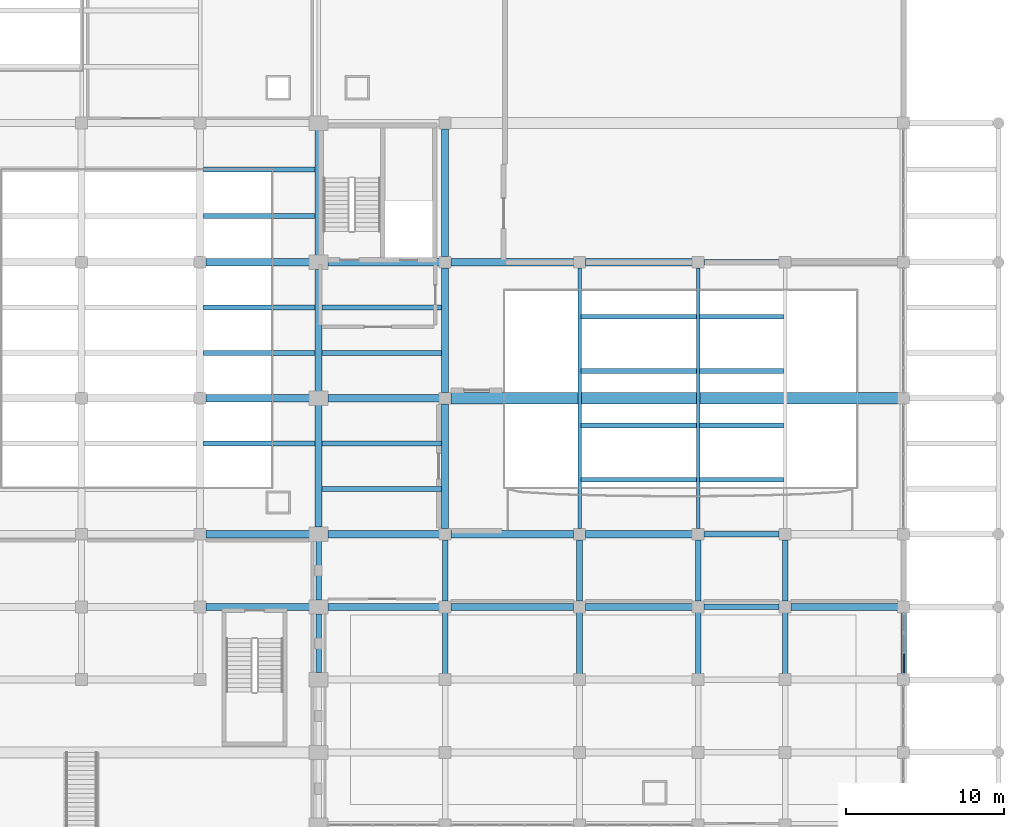
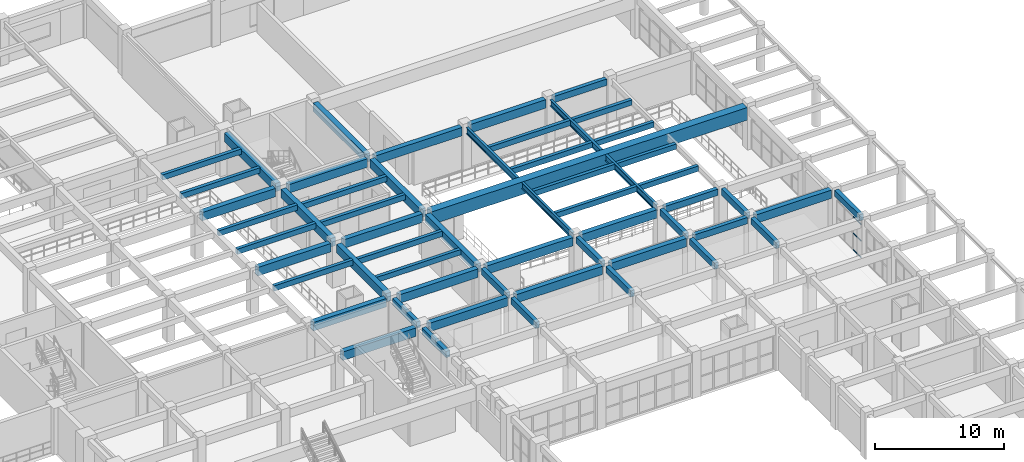
# One storey, part 74 of 116: 55 beams, 3 members, 1 element without a shape of its own.
"""IFC4 building model written with IfcOpenShell, lengths in metres."""

from ifc_helpers import new_model, si_unit, direction, frame, origin, origin_2d, place, context, subcontext, project, spatial, rectangle, hollow_rectangle, i_section, extrude, material, layer, layer_set, material_profile, profile_set, type_object, element, aggregate, save


model = new_model("IFC4")

# Units and contexts
model_context = context("Model", 3, precision=1e-05, world=origin(), true_north=direction((0.0, 1.0)))
body_context = subcontext(model_context, "Body", "Model", "MODEL_VIEW")
ifc_project = project(units=[si_unit("LENGTHUNIT", "METRE"), si_unit("AREAUNIT", "SQUARE_METRE"), si_unit("VOLUMEUNIT", "CUBIC_METRE"), si_unit("PLANEANGLEUNIT", "RADIAN"), si_unit("MASSUNIT", "GRAM", prefix="KILO")], contexts=[model_context])

# Site, building, storey
site_placement = place(None, origin())
site = spatial("IfcSite", under=ifc_project, at=site_placement, CompositionType="ELEMENT")
building_placement = place(site_placement, origin())
building = spatial("IfcBuilding", under=site, at=building_placement, Name="Muzn Square Opera House", CompositionType="ELEMENT")
storey_placement = place(building_placement, frame((0.0, 0.0, 5.39990234375)))
storey = spatial("IfcBuildingStorey", under=building, at=storey_placement, Name="L01", CompositionType="ELEMENT", Elevation=5.39990234375)

# Curtain wall, members
ifc_material_1 = material(Name="Low-E laminated acoustic double glazing", Category="glass")
ifc_layer = layer(ifc_material_1, 0.159912109375, Name="Low-E laminated acoustic double glazing", Category="glass")
ifc_layer_set = layer_set([ifc_layer], Name="Low-E laminated acoustic double glazing")
curtain_wall_type = type_object("IfcCurtainWallType", Name="Glazed Curtain Wall EastBlvd 3850x3200", PredefinedType="USERDEFINED", material=ifc_layer_set)
curtain_wall_placement = place(storey_placement, origin())
curtain_wall = element("IfcCurtainWall", 1, at=curtain_wall_placement, inside=storey, type_object=curtain_wall_type, Name="Glazed Curtain Wall CW-L01-118", ObjectType="GLAZED CURTAIN WALL", PredefinedType="USERDEFINED")
ifc_material_2 = material(Name="Anodised bronze aluminium 6063-T6", Category="metal")
ifc_material_profile_1 = material_profile(ifc_material_2, hollow_rectangle(XDim=0.06005859375, YDim=0.1201171875, WallThickness=0.00390625, at=origin_2d()), Name="ALU 120x60x4", Category="metal")
ifc_profile_set_1 = profile_set([ifc_material_profile_1], Name="Anodised bronze aluminium 6063-T6")
member_type = type_object("IfcMemberType", Name="Curtain Wall Transom 120x60", PredefinedType="USERDEFINED", material=ifc_profile_set_1)
member_1_placement = place(storey_placement, frame((170.0, 63.8349609375, 0.030029296875), z_axis=(0.0, 1.0, 0.0), x_axis=(-1.0, 0.0, 0.0)))
member_1 = element("IfcMember", 2, at=member_1_placement, type_object=member_type, Name="CW-EBL-38x32 transom 1.1", ObjectType="TRANSOM", PredefinedType="USERDEFINED", context=body_context, shape_type="SweptSolid", body=[
    extrude(hollow_rectangle(XDim=0.06005859375, YDim=0.1201171875, WallThickness=0.00390625, at=origin_2d()), origin(), (0.0, 0.0, 1.0), 1.193359375),
])
member_2_placement = place(storey_placement, frame((170.0, 63.8349609375, 1.60009765625), z_axis=(0.0, 1.0, 0.0), x_axis=(-1.0, 0.0, 0.0)))
member_2 = element("IfcMember", 3, at=member_2_placement, type_object=member_type, Name="CW-EBL-38x32 transom 1.2", ObjectType="TRANSOM", PredefinedType="USERDEFINED", context=body_context, shape_type="SweptSolid", body=[
    extrude(hollow_rectangle(XDim=0.06005859375, YDim=0.1201171875, WallThickness=0.00390625, at=origin_2d()), origin(), (0.0, 0.0, 1.0), 1.193359375),
])
member_3_placement = place(storey_placement, frame((170.0, 63.8349609375, 3.170166015625), z_axis=(0.0, 1.0, 0.0), x_axis=(-1.0, 0.0, 0.0)))
member_3 = element("IfcMember", 4, at=member_3_placement, type_object=member_type, Name="CW-EBL-38x32 transom 1.3", ObjectType="TRANSOM", PredefinedType="USERDEFINED", context=body_context, shape_type="SweptSolid", body=[
    extrude(hollow_rectangle(XDim=0.06005859375, YDim=0.1201171875, WallThickness=0.00390625, at=origin_2d()), origin(), (0.0, 0.0, 1.0), 1.193359375),
])
aggregate(curtain_wall, [member_1, member_2, member_3])

# Beams
ifc_material_3 = material(Name="Concrete C40/50", Category="concrete")
ifc_material_profile_2 = material_profile(ifc_material_3, rectangle(XDim=0.300048828125, YDim=0.5, at=origin_2d()), Name="RCJ 300x500", Category="concrete")
ifc_profile_set_2 = profile_set([ifc_material_profile_2], Name="Concrete C40/50")
beam_type_1 = type_object("IfcBeamType", Name="Floor Joist 300x500", PredefinedType="JOIST", material=ifc_profile_set_2)
for number, where, z_axis, x_axis, name in (
    (5, (125.717041015625, 78.333251953125, 3.8701171875), (1.0, 0.0, 0.0), (0.0, 1.0, 0.0), "Floor Joist BM-L01-BM-J500-1257_783_1328_783-1909"),
    (6, (125.717041015625, 84.066650390625, 3.8701171875), (1.0, 0.0, 0.0), (0.0, 1.0, 0.0), "Floor Joist BM-L01-BM-J500-1257_841_1328_841-1910"),
    (7, (125.717041015625, 86.933349609375, 3.8701171875), (1.0, 0.0, 0.0), (0.0, 1.0, 0.0), "Floor Joist BM-L01-BM-J500-1257_869_1328_869-1911"),
    (8, (125.717041015625, 92.7333984375, 3.8701171875), (1.0, 0.0, 0.0), (0.0, 1.0, 0.0), "Floor Joist BM-L01-BM-J500-1257_927_1328_927-1912"),
    (9, (125.717041015625, 95.666748046875, 3.8701171875), (1.0, 0.0, 0.0), (0.0, 1.0, 0.0), "Floor Joist BM-L01-BM-J500-1257_957_1328_957-1913"),
):
    element("IfcBeam", number, at=place(storey_placement, frame(where, z_axis=z_axis, x_axis=x_axis)), inside=storey, type_object=beam_type_1, Name=name, PredefinedType="JOIST", context=body_context, shape_type="SweptSolid", body=[
        extrude(rectangle(XDim=0.300048828125, YDim=0.5, at=origin_2d()), origin(), (0.0, 0.0, 1.0), 7.06591796875),
    ])
for number, where, z_axis, x_axis, name in (
    (10, (133.217041015625, 75.466796875, 3.7900390625), (1.0, 0.0, 0.0), (0.0, 1.0, 0.0), "Floor Joist BM-L01-BM-J500-1332_755_1408_755-1916"),
    (11, (133.217041015625, 78.333251953125, 3.7900390625), (1.0, 0.0, 0.0), (0.0, 1.0, 0.0), "Floor Joist BM-L01-BM-J500-1332_783_1408_783-1917"),
    (12, (133.217041015625, 84.066650390625, 3.7900390625), (1.0, 0.0, 0.0), (0.0, 1.0, 0.0), "Floor Joist BM-L01-BM-J500-1332_841_1408_841-1918"),
    (13, (133.217041015625, 86.933349609375, 3.7900390625), (1.0, 0.0, 0.0), (0.0, 1.0, 0.0), "Floor Joist BM-L01-BM-J500-1332_869_1408_869-1919"),
):
    element("IfcBeam", number, at=place(storey_placement, frame(where, z_axis=z_axis, x_axis=x_axis)), inside=storey, type_object=beam_type_1, Name=name, PredefinedType="JOIST", context=body_context, shape_type="SweptSolid", body=[
        extrude(rectangle(XDim=0.300048828125, YDim=0.5, at=origin_2d()), origin(), (0.0, 0.0, 1.0), 7.56591796875),
    ])
for number, where, z_axis, x_axis, name in (
    (14, (149.60205078125, 76.0400390625, 3.7900390625), (1.0, 0.0, 0.0), (0.0, 1.0, 0.0), "Floor Joist BM-L01-BM-J500-1496_760_1569_760-1922"),
    (15, (149.60205078125, 79.47998046875, 3.7900390625), (1.0, 0.0, 0.0), (0.0, 1.0, 0.0), "Floor Joist BM-L01-BM-J500-1496_795_1569_795-1923"),
    (16, (149.60205078125, 82.919921875, 3.7900390625), (1.0, 0.0, 0.0), (0.0, 1.0, 0.0), "Floor Joist BM-L01-BM-J500-1496_829_1569_829-1924"),
    (17, (149.60205078125, 86.360107421875, 3.7900390625), (1.0, 0.0, 0.0), (0.0, 1.0, 0.0), "Floor Joist BM-L01-BM-J500-1496_864_1569_864-1925"),
):
    element("IfcBeam", number, at=place(storey_placement, frame(where, z_axis=z_axis, x_axis=x_axis)), inside=storey, type_object=beam_type_1, Name=name, PredefinedType="JOIST", context=body_context, shape_type="SweptSolid", body=[
        extrude(rectangle(XDim=0.300048828125, YDim=0.5, at=origin_2d()), origin(), (0.0, 0.0, 1.0), 7.2958984375),
    ])
for number, where, z_axis, x_axis, name in (
    (18, (157.10205078125, 76.0400390625, 3.7900390625), (1.0, 0.0, 0.0), (0.0, 1.0, 0.0), "Floor Joist BM-L01-BM-J500-1571_760_1624_760-1926"),
    (19, (157.10205078125, 79.47998046875, 3.7900390625), (1.0, 0.0, 0.0), (0.0, 1.0, 0.0), "Floor Joist BM-L01-BM-J500-1571_795_1624_795-1927"),
    (20, (157.10205078125, 82.919921875, 3.7900390625), (1.0, 0.0, 0.0), (0.0, 1.0, 0.0), "Floor Joist BM-L01-BM-J500-1571_829_1624_829-1928"),
    (21, (157.10205078125, 86.360107421875, 3.7900390625), (1.0, 0.0, 0.0), (0.0, 1.0, 0.0), "Floor Joist BM-L01-BM-J500-1571_864_1624_864-1929"),
):
    element("IfcBeam", number, at=place(storey_placement, frame(where, z_axis=z_axis, x_axis=x_axis)), inside=storey, type_object=beam_type_1, Name=name, PredefinedType="JOIST", context=body_context, shape_type="SweptSolid", body=[
        extrude(rectangle(XDim=0.300048828125, YDim=0.5, at=origin_2d()), origin(), (0.0, 0.0, 1.0), 5.2958984375),
    ])
ifc_material_profile_3 = material_profile(ifc_material_3, rectangle(XDim=0.35009765625, YDim=0.60009765625, at=origin_2d()), Name="RCB 350x600", Category="concrete")
ifc_profile_set_3 = profile_set([ifc_material_profile_3], Name="Concrete C40/50")
beam_type_2 = type_object("IfcBeamType", Name="Primary Girder 350x600", PredefinedType="BEAM", material=ifc_profile_set_3)
for number, where, z_axis, x_axis, name in (
    (22, (157.366943359375, 68.0, 3.85009765625), (1.0, 0.0, 0.0), (0.0, 1.0, 0.0), "Primary Girder BM-L01-BM-PG600-1574_680_1621_680-1429"),
    (23, (157.366943359375, 72.60009765625, 3.739990234375), (1.0, 0.0, 0.0), (0.0, 1.0, 0.0), "Primary Girder BM-L01-BM-PG600-1574_726_1621_726-1447"),
    (24, (157.366943359375, 89.800048828125, 3.739990234375), (1.0, 0.0, 0.0), (0.0, 1.0, 0.0), "Primary Girder BM-L01-BM-PG600-1574_898_1621_898-1476"),
):
    element("IfcBeam", number, at=place(storey_placement, frame(where, z_axis=z_axis, x_axis=x_axis)), inside=storey, type_object=beam_type_2, Name=name, PredefinedType="BEAM", context=body_context, shape_type="SweptSolid", body=[
        extrude(rectangle(XDim=0.35009765625, YDim=0.60009765625, at=origin_2d()), origin(), (0.0, 0.0, 1.0), 4.76611328125),
    ])
for number, where, z_axis, x_axis, name in (
    (25, (133.0, 63.842041015625, 3.820068359375), (0.0, 1.0, 0.0), (-1.0, 0.0, 0.0), "Primary Girder BM-L01-BM-PG600-1330_638_1330_676-1710"),
    (26, (133.0, 68.44189453125, 3.820068359375), (0.0, 1.0, 0.0), (-1.0, 0.0, 0.0), "Primary Girder BM-L01-BM-PG600-1330_684_1330_722-1711"),
):
    element("IfcBeam", number, at=place(storey_placement, frame(where, z_axis=z_axis, x_axis=x_axis)), inside=storey, type_object=beam_type_2, Name=name, PredefinedType="BEAM", context=body_context, shape_type="SweptSolid", body=[
        extrude(rectangle(XDim=0.35009765625, YDim=0.60009765625, at=origin_2d()), origin(), (0.0, 0.0, 1.0), 3.716064453125),
    ])
for number, where, z_axis, x_axis, name in (
    (27, (141.0, 63.76708984375, 3.820068359375), (0.0, 1.0, 0.0), (-1.0, 0.0, 0.0), "Primary Girder BM-L01-BM-PG600-1410_638_1410_676-1722"),
    (28, (141.0, 68.366943359375, 3.820068359375), (0.0, 1.0, 0.0), (-1.0, 0.0, 0.0), "Primary Girder BM-L01-BM-PG600-1410_684_1410_722-1723"),
    (29, (149.5, 63.76708984375, 3.820068359375), (0.0, 1.0, 0.0), (-1.0, 0.0, 0.0), "Primary Girder BM-L01-BM-PG600-1495_638_1495_676-1734"),
    (30, (149.5, 68.366943359375, 3.820068359375), (0.0, 1.0, 0.0), (-1.0, 0.0, 0.0), "Primary Girder BM-L01-BM-PG600-1495_684_1495_722-1735"),
    (31, (157.0, 63.76708984375, 3.820068359375), (0.0, 1.0, 0.0), (-1.0, 0.0, 0.0), "Primary Girder BM-L01-BM-PG600-1570_638_1570_676-1747"),
    (32, (157.0, 68.366943359375, 3.820068359375), (0.0, 1.0, 0.0), (-1.0, 0.0, 0.0), "Primary Girder BM-L01-BM-PG600-1570_684_1570_722-1748"),
    (33, (162.5, 63.76708984375, 3.85009765625), (0.0, 1.0, 0.0), (-1.0, 0.0, 0.0), "Primary Girder BM-L01-BM-PG600-1625_638_1625_676-1762"),
    (34, (162.5, 68.366943359375, 3.85009765625), (0.0, 1.0, 0.0), (-1.0, 0.0, 0.0), "Primary Girder BM-L01-BM-PG600-1625_684_1625_722-1763"),
    (35, (170.0, 63.76708984375, 3.85009765625), (0.0, 1.0, 0.0), (-1.0, 0.0, 0.0), "Primary Girder BM-L01-BM-PG600-1700_638_1700_676-1777"),
):
    element("IfcBeam", number, at=place(storey_placement, frame(where, z_axis=z_axis, x_axis=x_axis)), inside=storey, type_object=beam_type_2, Name=name, PredefinedType="BEAM", context=body_context, shape_type="SweptSolid", body=[
        extrude(rectangle(XDim=0.35009765625, YDim=0.60009765625, at=origin_2d()), origin(), (0.0, 0.0, 1.0), 3.865966796875),
    ])
ifc_material_profile_4 = material_profile(ifc_material_3, rectangle(XDim=0.449951171875, YDim=0.800048828125, at=origin_2d()), Name="RCB 450x800", Category="concrete")
ifc_profile_set_4 = profile_set([ifc_material_profile_4], Name="Concrete C40/50")
beam_type_3 = type_object("IfcBeamType", Name="Primary Girder 450x800", PredefinedType="BEAM", material=ifc_profile_set_4)
beam_1_placement = place(storey_placement, frame((125.866943359375, 68.0, 3.72021484375), z_axis=(1.0, 0.0, 0.0), x_axis=(0.0, 1.0, 0.0)))
element("IfcBeam", 36, at=beam_1_placement, inside=storey, type_object=beam_type_3, Name="Primary Girder BM-L01-BM-PG800-1259_680_1324_680-1425", PredefinedType="BEAM", context=body_context, shape_type="SweptSolid", body=[
    extrude(rectangle(XDim=0.449951171875, YDim=0.800048828125, at=origin_2d()), origin(), (0.0, 0.0, 1.0), 6.541015625),
])
beam_2_placement = place(storey_placement, frame((133.592041015625, 68.0, 3.72021484375), z_axis=(1.0, 0.0, 0.0), x_axis=(0.0, 1.0, 0.0)))
element("IfcBeam", 37, at=beam_2_placement, inside=storey, type_object=beam_type_3, Name="Primary Girder BM-L01-BM-PG800-1336_680_1406_680-1426", PredefinedType="BEAM", context=body_context, shape_type="SweptSolid", body=[
    extrude(rectangle(XDim=0.449951171875, YDim=0.800048828125, at=origin_2d()), origin(), (0.0, 0.0, 1.0), 7.041015625),
])
beam_3_placement = place(storey_placement, frame((141.366943359375, 68.0, 3.72021484375), z_axis=(1.0, 0.0, 0.0), x_axis=(0.0, 1.0, 0.0)))
element("IfcBeam", 38, at=beam_3_placement, inside=storey, type_object=beam_type_3, Name="Primary Girder BM-L01-BM-PG800-1414_680_1491_680-1427", PredefinedType="BEAM", context=body_context, shape_type="SweptSolid", body=[
    extrude(rectangle(XDim=0.449951171875, YDim=0.800048828125, at=origin_2d()), origin(), (0.0, 0.0, 1.0), 7.76611328125),
])
for number, where, z_axis, x_axis, name in (
    (39, (149.866943359375, 68.0, 3.72021484375), (1.0, 0.0, 0.0), (0.0, 1.0, 0.0), "Primary Girder BM-L01-BM-PG800-1499_680_1566_680-1428"),
    (40, (162.866943359375, 68.0, 3.75), (1.0, 0.0, 0.0), (0.0, 1.0, 0.0), "Primary Girder BM-L01-BM-PG800-1629_680_1696_680-1430"),
):
    element("IfcBeam", number, at=place(storey_placement, frame(where, z_axis=z_axis, x_axis=x_axis)), inside=storey, type_object=beam_type_3, Name=name, PredefinedType="BEAM", context=body_context, shape_type="SweptSolid", body=[
        extrude(rectangle(XDim=0.449951171875, YDim=0.800048828125, at=origin_2d()), origin(), (0.0, 0.0, 1.0), 6.76611328125),
    ])
beam_4_placement = place(storey_placement, frame((125.866943359375, 72.60009765625, 3.72021484375), z_axis=(1.0, 0.0, 0.0), x_axis=(0.0, 1.0, 0.0)))
element("IfcBeam", 41, at=beam_4_placement, inside=storey, type_object=beam_type_3, Name="Primary Girder BM-L01-BM-PG800-1259_726_1324_726-1443", PredefinedType="BEAM", context=body_context, shape_type="SweptSolid", body=[
    extrude(rectangle(XDim=0.449951171875, YDim=0.800048828125, at=origin_2d()), origin(), (0.0, 0.0, 1.0), 6.541015625),
])
beam_5_placement = place(storey_placement, frame((133.592041015625, 72.60009765625, 3.64013671875), z_axis=(1.0, 0.0, 0.0), x_axis=(0.0, 1.0, 0.0)))
element("IfcBeam", 42, at=beam_5_placement, inside=storey, type_object=beam_type_3, Name="Primary Girder BM-L01-BM-PG800-1336_726_1406_726-1444", PredefinedType="BEAM", context=body_context, shape_type="SweptSolid", body=[
    extrude(rectangle(XDim=0.449951171875, YDim=0.800048828125, at=origin_2d()), origin(), (0.0, 0.0, 1.0), 7.041015625),
])
beam_6_placement = place(storey_placement, frame((141.366943359375, 72.60009765625, 3.64013671875), z_axis=(1.0, 0.0, 0.0), x_axis=(0.0, 1.0, 0.0)))
element("IfcBeam", 43, at=beam_6_placement, inside=storey, type_object=beam_type_3, Name="Primary Girder BM-L01-BM-PG800-1414_726_1491_726-1445", PredefinedType="BEAM", context=body_context, shape_type="SweptSolid", body=[
    extrude(rectangle(XDim=0.449951171875, YDim=0.800048828125, at=origin_2d()), origin(), (0.0, 0.0, 1.0), 7.76611328125),
])
beam_7_placement = place(storey_placement, frame((149.866943359375, 72.60009765625, 3.64013671875), z_axis=(1.0, 0.0, 0.0), x_axis=(0.0, 1.0, 0.0)))
element("IfcBeam", 44, at=beam_7_placement, inside=storey, type_object=beam_type_3, Name="Primary Girder BM-L01-BM-PG800-1499_726_1566_726-1446", PredefinedType="BEAM", context=body_context, shape_type="SweptSolid", body=[
    extrude(rectangle(XDim=0.449951171875, YDim=0.800048828125, at=origin_2d()), origin(), (0.0, 0.0, 1.0), 6.76611328125),
])
beam_8_placement = place(storey_placement, frame((125.866943359375, 81.199951171875, 3.72021484375), z_axis=(1.0, 0.0, 0.0), x_axis=(0.0, 1.0, 0.0)))
element("IfcBeam", 45, at=beam_8_placement, inside=storey, type_object=beam_type_3, Name="Primary Girder BM-L01-BM-PG800-1259_812_1324_812-1459", PredefinedType="BEAM", context=body_context, shape_type="SweptSolid", body=[
    extrude(rectangle(XDim=0.449951171875, YDim=0.800048828125, at=origin_2d()), origin(), (0.0, 0.0, 1.0), 6.541015625),
])
beam_9_placement = place(storey_placement, frame((133.592041015625, 81.199951171875, 3.64013671875), z_axis=(1.0, 0.0, 0.0), x_axis=(0.0, 1.0, 0.0)))
element("IfcBeam", 46, at=beam_9_placement, inside=storey, type_object=beam_type_3, Name="Primary Girder BM-L01-BM-PG800-1336_812_1406_812-1460", PredefinedType="BEAM", context=body_context, shape_type="SweptSolid", body=[
    extrude(rectangle(XDim=0.449951171875, YDim=0.800048828125, at=origin_2d()), origin(), (0.0, 0.0, 1.0), 7.041015625),
])
beam_10_placement = place(storey_placement, frame((125.866943359375, 89.800048828125, 3.72021484375), z_axis=(1.0, 0.0, 0.0), x_axis=(0.0, 1.0, 0.0)))
element("IfcBeam", 47, at=beam_10_placement, inside=storey, type_object=beam_type_3, Name="Primary Girder BM-L01-BM-PG800-1259_898_1324_898-1472", PredefinedType="BEAM", context=body_context, shape_type="SweptSolid", body=[
    extrude(rectangle(XDim=0.449951171875, YDim=0.800048828125, at=origin_2d()), origin(), (0.0, 0.0, 1.0), 6.541015625),
])
beam_11_placement = place(storey_placement, frame((133.592041015625, 89.800048828125, 3.64013671875), z_axis=(1.0, 0.0, 0.0), x_axis=(0.0, 1.0, 0.0)))
element("IfcBeam", 48, at=beam_11_placement, inside=storey, type_object=beam_type_3, Name="Primary Girder BM-L01-BM-PG800-1336_898_1406_898-1473", PredefinedType="BEAM", context=body_context, shape_type="SweptSolid", body=[
    extrude(rectangle(XDim=0.449951171875, YDim=0.800048828125, at=origin_2d()), origin(), (0.0, 0.0, 1.0), 7.041015625),
])
beam_12_placement = place(storey_placement, frame((141.366943359375, 89.800048828125, 3.64013671875), z_axis=(1.0, 0.0, 0.0), x_axis=(0.0, 1.0, 0.0)))
element("IfcBeam", 49, at=beam_12_placement, inside=storey, type_object=beam_type_3, Name="Primary Girder BM-L01-BM-PG800-1414_898_1491_898-1474", PredefinedType="BEAM", context=body_context, shape_type="SweptSolid", body=[
    extrude(rectangle(XDim=0.449951171875, YDim=0.800048828125, at=origin_2d()), origin(), (0.0, 0.0, 1.0), 7.76611328125),
])
beam_13_placement = place(storey_placement, frame((149.866943359375, 89.800048828125, 3.64013671875), z_axis=(1.0, 0.0, 0.0), x_axis=(0.0, 1.0, 0.0)))
element("IfcBeam", 50, at=beam_13_placement, inside=storey, type_object=beam_type_3, Name="Primary Girder BM-L01-BM-PG800-1499_898_1566_898-1475", PredefinedType="BEAM", context=body_context, shape_type="SweptSolid", body=[
    extrude(rectangle(XDim=0.449951171875, YDim=0.800048828125, at=origin_2d()), origin(), (0.0, 0.0, 1.0), 6.76611328125),
])
beam_14_placement = place(storey_placement, frame((133.0, 73.0419921875, 3.64013671875), z_axis=(0.0, 1.0, 0.0), x_axis=(-1.0, 0.0, 0.0)))
element("IfcBeam", 51, at=beam_14_placement, inside=storey, type_object=beam_type_3, Name="Primary Girder BM-L01-BM-PG800-1330_730_1330_808-1712", PredefinedType="BEAM", context=body_context, shape_type="SweptSolid", body=[
    extrude(rectangle(XDim=0.449951171875, YDim=0.800048828125, at=origin_2d()), origin(), (0.0, 0.0, 1.0), 7.716064453125),
])
beam_15_placement = place(storey_placement, frame((133.0, 81.64208984375, 3.64013671875), z_axis=(0.0, 1.0, 0.0), x_axis=(-1.0, 0.0, 0.0)))
element("IfcBeam", 52, at=beam_15_placement, inside=storey, type_object=beam_type_3, Name="Primary Girder BM-L01-BM-PG800-1330_816_1330_894-1713", PredefinedType="BEAM", context=body_context, shape_type="SweptSolid", body=[
    extrude(rectangle(XDim=0.449951171875, YDim=0.800048828125, at=origin_2d()), origin(), (0.0, 0.0, 1.0), 7.7158203125),
])
beam_16_placement = place(storey_placement, frame((133.0, 90.241943359375, 3.64013671875), z_axis=(0.0, 1.0, 0.0), x_axis=(-1.0, 0.0, 0.0)))
element("IfcBeam", 53, at=beam_16_placement, inside=storey, type_object=beam_type_3, Name="Primary Girder BM-L01-BM-PG800-1330_902_1330_982-1714", PredefinedType="BEAM", context=body_context, shape_type="SweptSolid", body=[
    extrude(rectangle(XDim=0.449951171875, YDim=0.800048828125, at=origin_2d()), origin(), (0.0, 0.0, 1.0), 7.916015625),
])
beam_17_placement = place(storey_placement, frame((141.0, 72.967041015625, 3.64013671875), z_axis=(0.0, 1.0, 0.0), x_axis=(-1.0, 0.0, 0.0)))
element("IfcBeam", 54, at=beam_17_placement, inside=storey, type_object=beam_type_3, Name="Primary Girder BM-L01-BM-PG800-1410_730_1410_808-1724", PredefinedType="BEAM", context=body_context, shape_type="SweptSolid", body=[
    extrude(rectangle(XDim=0.449951171875, YDim=0.800048828125, at=origin_2d()), origin(), (0.0, 0.0, 1.0), 7.865966796875),
])
beam_18_placement = place(storey_placement, frame((141.0, 81.56689453125, 3.64013671875), z_axis=(0.0, 1.0, 0.0), x_axis=(-1.0, 0.0, 0.0)))
element("IfcBeam", 55, at=beam_18_placement, inside=storey, type_object=beam_type_3, Name="Primary Girder BM-L01-BM-PG800-1410_816_1410_894-1725", PredefinedType="BEAM", context=body_context, shape_type="SweptSolid", body=[
    extrude(rectangle(XDim=0.449951171875, YDim=0.800048828125, at=origin_2d()), origin(), (0.0, 0.0, 1.0), 7.8662109375),
])
beam_19_placement = place(storey_placement, frame((141.0, 90.1669921875, 3.64013671875), z_axis=(0.0, 1.0, 0.0), x_axis=(-1.0, 0.0, 0.0)))
element("IfcBeam", 56, at=beam_19_placement, inside=storey, type_object=beam_type_3, Name="Primary Girder BM-L01-BM-PG800-1410_902_1410_982-1726", PredefinedType="BEAM", context=body_context, shape_type="SweptSolid", body=[
    extrude(rectangle(XDim=0.449951171875, YDim=0.800048828125, at=origin_2d()), origin(), (0.0, 0.0, 1.0), 8.06591796875),
])
ifc_material_profile_5 = material_profile(ifc_material_3, rectangle(XDim=0.699951171875, YDim=1.199951171875, at=origin_2d()), Name="RCB 700x1200", Category="concrete")
ifc_profile_set_5 = profile_set([ifc_material_profile_5], Name="Concrete C40/50")
beam_type_4 = type_object("IfcBeamType", Name="Primary Girder 700x1200", PredefinedType="BEAM", material=ifc_profile_set_5)
beam_20_placement = place(storey_placement, frame((141.366943359375, 81.199951171875, 3.440185546875), z_axis=(1.0, 0.0, 0.0), x_axis=(0.0, 1.0, 0.0)))
element("IfcBeam", 57, at=beam_20_placement, inside=storey, type_object=beam_type_4, Name="Primary Girder BM-L01-BM-PG1200-1414_812_1696_812-1461", PredefinedType="BEAM", context=body_context, shape_type="SweptSolid", body=[
    extrude(rectangle(XDim=0.699951171875, YDim=1.199951171875, at=origin_2d()), origin(), (0.0, 0.0, 1.0), 28.26611328125),
])
ifc_material_4 = material(Name="Steel S355", Category="steel")
ifc_material_profile_6 = material_profile(ifc_material_4, i_section(OverallWidth=0.219970703125, OverallDepth=0.60009765625, WebThickness=0.011962890625, FlangeThickness=0.01904296875, FilletRadius=0.02392578125, at=origin_2d()), Name="IPE 600", Category="steel")
ifc_profile_set_6 = profile_set([ifc_material_profile_6], Name="Steel S355")
beam_type_5 = type_object("IfcBeamType", Name="Stage Gallery Beam IPE600", PredefinedType="BEAM", material=ifc_profile_set_6)
for number, where, z_axis, x_axis, name in (
    (58, (149.5, 72.967041015625, 3.739990234375), (0.0, 1.0, 0.0), (-1.0, 0.0, 0.0), "Primary Girder BM-L01-BM-SG600-1495_730_1495_894-1736"),
    (59, (157.0, 72.967041015625, 3.739990234375), (0.0, 1.0, 0.0), (-1.0, 0.0, 0.0), "Primary Girder BM-L01-BM-SG600-1570_730_1570_894-1749"),
):
    element("IfcBeam", number, at=place(storey_placement, frame(where, z_axis=z_axis, x_axis=x_axis)), inside=storey, type_object=beam_type_5, Name=name, PredefinedType="BEAM", context=body_context, shape_type="SweptSolid", body=[
        extrude(i_section(OverallWidth=0.219970703125, OverallDepth=0.60009765625, WebThickness=0.011962890625, FlangeThickness=0.01904296875, FilletRadius=0.02392578125, at=origin_2d()), origin(), (0.0, 0.0, 1.0), 16.466064453125),
    ])

save(model, "model.ifc")
